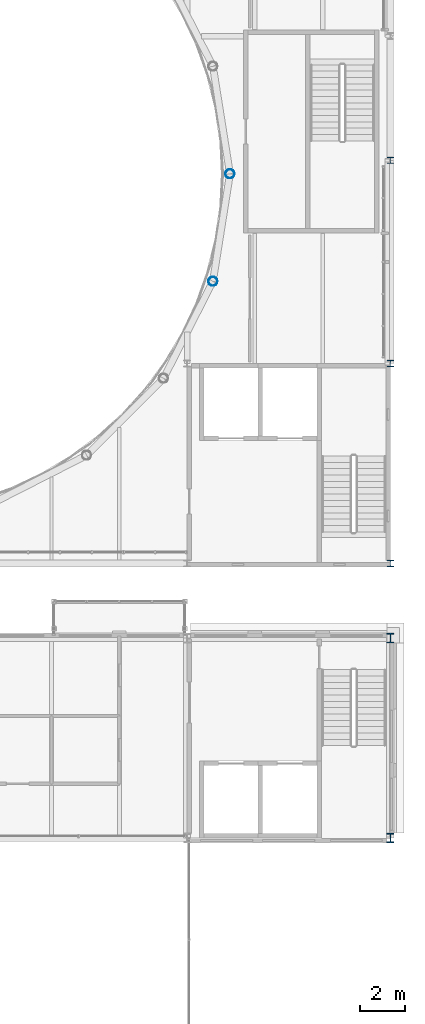
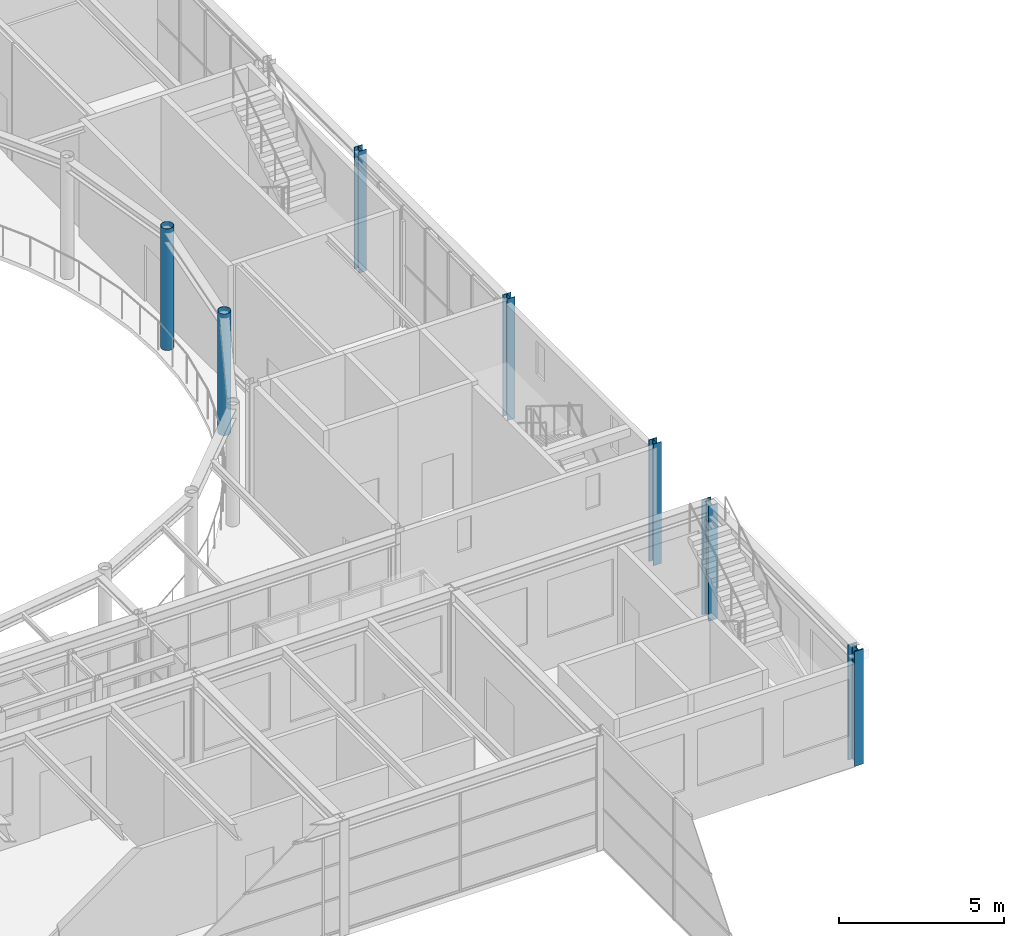
# One storey, part 7 of 70: 7 columns.
"""IFC4 building model written with IfcOpenShell, lengths in metres."""

from ifc_helpers import new_model, si_unit, direction, frame, origin, origin_2d, place, context, subcontext, project, spatial, hollow_circle, i_section, extrude, material, material_profile, profile_set, type_object, element, save


model = new_model("IFC4")

# Units and contexts
model_context = context("Model", 3, precision=1e-05, world=origin(), true_north=direction((0.0, 1.0)))
body_context = subcontext(model_context, "Body", "Model", "MODEL_VIEW")
ifc_project = project(units=[si_unit("LENGTHUNIT", "METRE"), si_unit("AREAUNIT", "SQUARE_METRE"), si_unit("VOLUMEUNIT", "CUBIC_METRE"), si_unit("PLANEANGLEUNIT", "RADIAN"), si_unit("MASSUNIT", "GRAM", prefix="KILO")], contexts=[model_context])

# Site, building, storey
site_placement = place(None, origin())
site = spatial("IfcSite", under=ifc_project, at=site_placement, CompositionType="ELEMENT")
building_placement = place(site_placement, origin())
building = spatial("IfcBuilding", under=site, at=building_placement, Name="Kallimachos Central Library", CompositionType="ELEMENT")
storey_placement = place(building_placement, frame((0.0, 0.0, 18.89990234375)))
storey = spatial("IfcBuildingStorey", under=building, at=storey_placement, Name="L04", CompositionType="ELEMENT", Elevation=18.89990234375)

# Columns
ifc_material_1 = material(Name="Steel S355J2H", Category="steel")
ifc_material_profile_1 = material_profile(ifc_material_1, hollow_circle(Radius=0.203125, WallThickness=0.012451171875, at=origin_2d()), Name="CHS 406.4x12.5")
ifc_profile_set_1 = profile_set([ifc_material_profile_1], Name="Steel S355J2H")
column_type_1 = type_object("IfcColumnType", Name="CHS 406.4x12.5 column", PredefinedType="COLUMN", material=ifc_profile_set_1)
for number, where, z_axis, x_axis, name in (
    (1, (103.39990234375, 104.39990234375, 0.0), (0.0, 0.0, 1.0), (1.0, 0.0, 0.0), "V1-COL-L04-015"),
    (2, (102.646240234375, 99.64111328125, 0.0), (0.0, 0.0, 1.0), (1.0, 0.0, 0.0), "V1-COL-L04-034"),
):
    element("IfcColumn", number, at=place(storey_placement, frame(where, z_axis=z_axis, x_axis=x_axis)), inside=storey, type_object=column_type_1, Name=name, PredefinedType="COLUMN", context=body_context, shape_type="SweptSolid", body=[
        extrude(hollow_circle(Radius=0.203125, WallThickness=0.012451171875, at=origin_2d()), origin(), (0.0, 0.0, 1.0), 4.5),
    ])
ifc_material_2 = material(Name="Steel S355J2", Category="steel")
ifc_material_profile_2 = material_profile(ifc_material_2, i_section(OverallWidth=0.280029296875, OverallDepth=0.280029296875, WebThickness=0.010498046875, FlangeThickness=0.01806640625, FilletRadius=0.02392578125, at=origin_2d()), Name="HEB 280")
ifc_profile_set_2 = profile_set([ifc_material_profile_2], Name="Steel S355J2")
column_type_2 = type_object("IfcColumnType", Name="HEB 280 column", PredefinedType="COLUMN", material=ifc_profile_set_2)
for number, where, z_axis, x_axis, name in (
    (3, (110.5, 87.14990234375, 0.0), (0.0, 0.0, 1.0), (1.0, 0.0, 0.0), "V1-COL-L04-006"),
    (4, (110.5, 96.0, 0.0), (0.0, 0.0, 1.0), (1.0, 0.0, 0.0), "V1-COL-L04-010"),
    (5, (110.5, 105.0, 0.0), (0.0, 0.0, 1.0), (1.0, 0.0, 0.0), "V1-COL-L04-012"),
):
    element("IfcColumn", number, at=place(storey_placement, frame(where, z_axis=z_axis, x_axis=x_axis)), inside=storey, type_object=column_type_2, Name=name, PredefinedType="COLUMN", context=body_context, shape_type="SweptSolid", body=[
        extrude(i_section(OverallWidth=0.280029296875, OverallDepth=0.280029296875, WebThickness=0.010498046875, FlangeThickness=0.01806640625, FilletRadius=0.02392578125, at=origin_2d()), origin(), (0.0, 0.0, 1.0), 4.5),
    ])
ifc_material_3 = material(Name="Steel S355J2", Category="steel")
ifc_material_profile_3 = material_profile(ifc_material_3, i_section(OverallWidth=0.306884765625, OverallDepth=0.431884765625, WebThickness=0.02099609375, FlangeThickness=0.0400390625, FilletRadius=0.027099609375, at=origin_2d()), Name="HEM 400")
ifc_profile_set_3 = profile_set([ifc_material_profile_3], Name="Steel S355J2")
column_type_3 = type_object("IfcColumnType", Name="HEM 400 column", PredefinedType="COLUMN", material=ifc_profile_set_3)
for number, where, z_axis, x_axis, name in (
    (6, (110.5, 75.0, 0.0), (0.0, 0.0, 1.0), (1.0, 0.0, 0.0), "V4-COL-L04-002"),
    (7, (110.5, 83.85009765625, 0.0), (0.0, 0.0, 1.0), (1.0, 0.0, 0.0), "V4-COL-L04-008"),
):
    element("IfcColumn", number, at=place(storey_placement, frame(where, z_axis=z_axis, x_axis=x_axis)), inside=storey, type_object=column_type_3, Name=name, PredefinedType="COLUMN", context=body_context, shape_type="SweptSolid", body=[
        extrude(i_section(OverallWidth=0.306884765625, OverallDepth=0.431884765625, WebThickness=0.02099609375, FlangeThickness=0.0400390625, FilletRadius=0.027099609375, at=origin_2d()), origin(), (0.0, 0.0, 1.0), 4.25),
    ])

save(model, "model.ifc")
